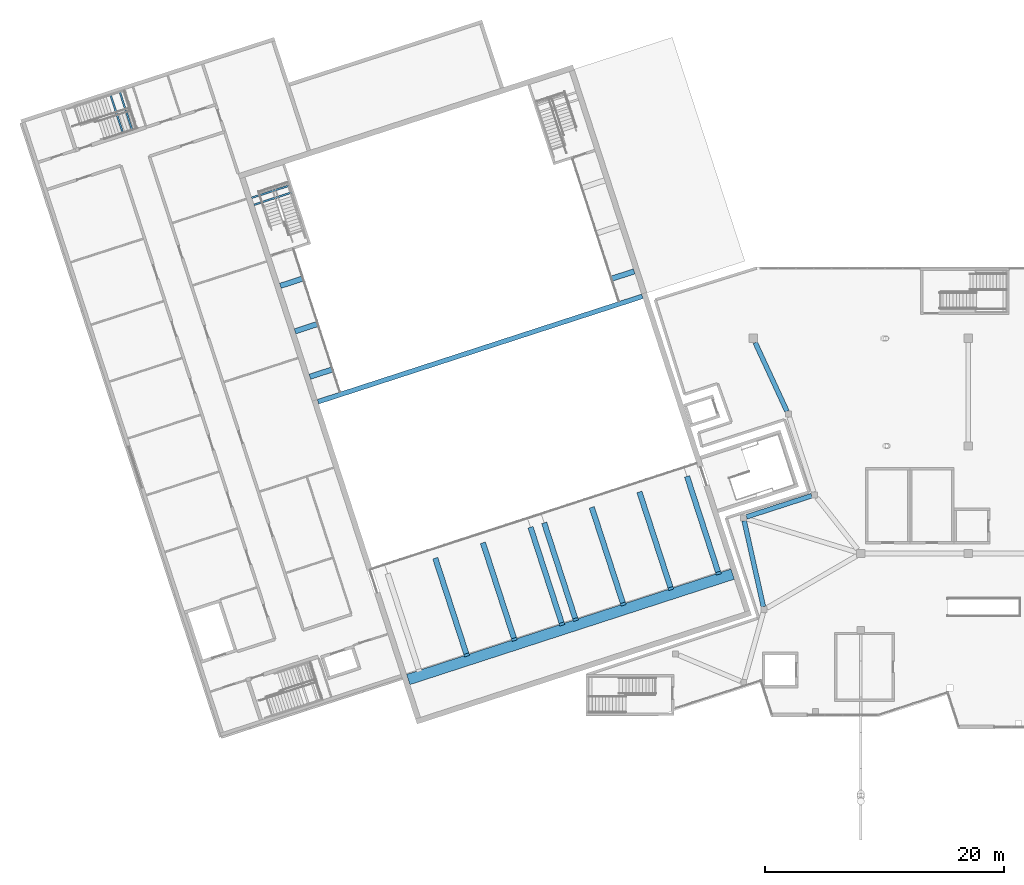
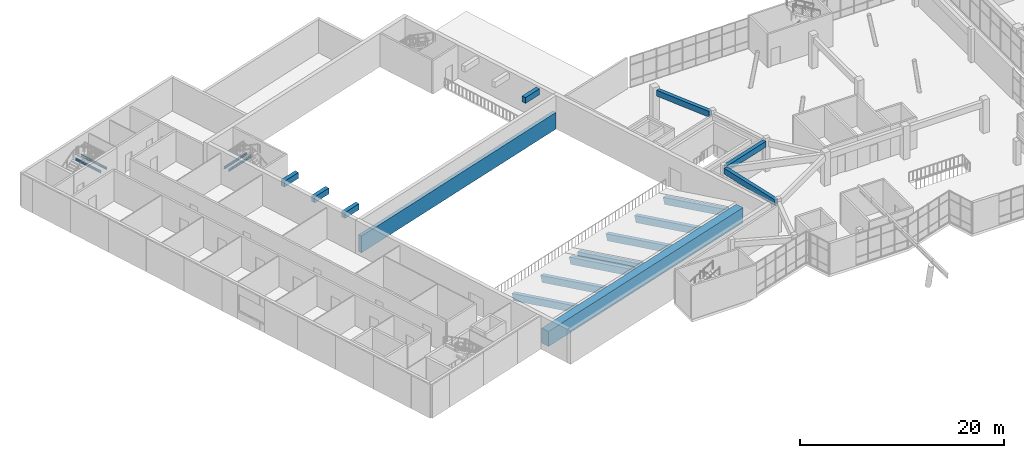
# One storey, part 3 of 65: 20 beams.
"""IFC4 building model written with IfcOpenShell, lengths in metres."""

from ifc_helpers import new_model, si_unit, direction, frame, origin, origin_2d, place, context, subcontext, project, spatial, rectangle, i_section, extrude, material, material_profile, profile_set, type_object, element, save


model = new_model("IFC4")

# Units and contexts
model_context = context("Model", 3, precision=1e-05, world=origin(), true_north=direction((0.0, 1.0)))
body_context = subcontext(model_context, "Body", "Model", "MODEL_VIEW")
ifc_project = project(units=[si_unit("LENGTHUNIT", "METRE"), si_unit("AREAUNIT", "SQUARE_METRE"), si_unit("VOLUMEUNIT", "CUBIC_METRE"), si_unit("PLANEANGLEUNIT", "RADIAN"), si_unit("MASSUNIT", "GRAM", prefix="KILO")], contexts=[model_context])

# Site, building, storey
site_placement = place(None, origin())
site = spatial("IfcSite", under=ifc_project, at=site_placement, CompositionType="ELEMENT")
building_placement = place(site_placement, origin())
building = spatial("IfcBuilding", under=site, at=building_placement, Name="Tuart Plaza Theatre", CompositionType="ELEMENT")
storey_placement = place(building_placement, frame((0.0, 0.0, 9.5)))
storey = spatial("IfcBuildingStorey", under=building, at=storey_placement, Name="L02", CompositionType="ELEMENT", Elevation=9.5)

# Beams
ifc_material_1 = material(Name="Steel Grade 300", Category="steel")
ifc_material_profile_1 = material_profile(ifc_material_1, i_section(OverallWidth=0.14599609375, OverallDepth=0.256103515625, WebThickness=0.00634765625, FlangeThickness=0.010986328125, FilletRadius=0.0087890625, at=origin_2d()), Name="250UB37.3")
ifc_profile_set_1 = profile_set([ifc_material_profile_1], Name="Steel Grade 300")
beam_type_1 = type_object("IfcBeamType", Name="BEAM 250UB37.3", PredefinedType="BEAM", material=ifc_profile_set_1)
for number, where, z_axis, x_axis, name in (
    (1, (25.230224609375, 91.203857421875, 1.672119140625), (-0.308980533303, 0.951068362443, 0.0), (-0.951068362443, -0.308980533303, 0.0), "SB21"),
    (2, (26.00537109375, 91.455810546875, 1.672119140625), (-0.308980533303, 0.951068362443, 0.0), (-0.951068362443, -0.308980533303, 0.0), "SB22"),
):
    element("IfcBeam", number, at=place(storey_placement, frame(where, z_axis=z_axis, x_axis=x_axis)), inside=storey, type_object=beam_type_1, Name=name, PredefinedType="BEAM", context=body_context, shape_type="SweptSolid", body=[
        extrude(i_section(OverallWidth=0.14599609375, OverallDepth=0.256103515625, WebThickness=0.00634765625, FlangeThickness=0.010986328125, FilletRadius=0.0087890625, at=origin_2d()), origin(), (0.0, 0.0, 1.0), 3.39990234375),
    ])
beam_1_placement = place(storey_placement, frame((39.3662109375, 86.215576171875, 1.672119140625), z_axis=(-0.951049715063, -0.309037925631, 0.0), x_axis=(0.309037925631, -0.951049715063, 0.0)))
element("IfcBeam", 3, at=beam_1_placement, inside=storey, type_object=beam_type_1, Name="SB33", PredefinedType="BEAM", context=body_context, shape_type="SweptSolid", body=[
    extrude(i_section(OverallWidth=0.14599609375, OverallDepth=0.256103515625, WebThickness=0.00634765625, FlangeThickness=0.010986328125, FilletRadius=0.0087890625, at=origin_2d()), origin(), (0.0, 0.0, 1.0), 3.3251953125),
])
beam_2_placement = place(storey_placement, frame((39.176025390625, 86.800537109375, 1.672119140625), z_axis=(-0.951042702094, -0.30905950688, 0.0), x_axis=(0.30905950688, -0.951042702094, 0.0)))
element("IfcBeam", 4, at=beam_2_placement, inside=storey, type_object=beam_type_1, Name="SB34", PredefinedType="BEAM", context=body_context, shape_type="SweptSolid", body=[
    extrude(i_section(OverallWidth=0.14599609375, OverallDepth=0.256103515625, WebThickness=0.00634765625, FlangeThickness=0.010986328125, FilletRadius=0.0087890625, at=origin_2d()), origin(), (0.0, 0.0, 1.0), 3.324951171875),
])
ifc_material_2 = material(Name="Concrete N50 (50 MPa)", Category="concrete")
ifc_material_profile_2 = material_profile(ifc_material_2, rectangle(XDim=0.39990234375, YDim=2.0, at=origin_2d()), Name="BEAM 400x2000 Concrete N50 (50 MPa)")
ifc_profile_set_2 = profile_set([ifc_material_profile_2], Name="Concrete N50 (50 MPa)")
beam_type_2 = type_object("IfcBeamType", Name="BEAM 400x2000 Concrete N50 (50 MPa)", PredefinedType="BEAM", material=ifc_profile_set_2)
beam_3_placement = place(storey_placement, frame((41.5615234375, 68.69921875, 1.0), z_axis=(0.951058008754, 0.309012401021, 0.0), x_axis=(-0.309012401021, 0.951058008754, 0.0)))
element("IfcBeam", 5, at=beam_3_placement, inside=storey, type_object=beam_type_2, Name="RB34", PredefinedType="BEAM", context=body_context, shape_type="SweptSolid", body=[
    extrude(rectangle(XDim=0.39990234375, YDim=2.0, at=origin_2d()), origin(), (0.0, 0.0, 1.0), 28.5498046875),
])
ifc_material_3 = material(Name="Concrete N40 (40 MPa)", Category="concrete")
ifc_material_profile_3 = material_profile(ifc_material_3, rectangle(XDim=0.39990234375, YDim=0.699951171875, at=origin_2d()), Name="BEAM 400x700 Concrete N40 (40 MPa)")
ifc_profile_set_3 = profile_set([ifc_material_profile_3], Name="Concrete N40 (40 MPa)")
beam_type_3 = type_object("IfcBeamType", Name="BEAM 400x700 Concrete N40 (40 MPa)", PredefinedType="BEAM", material=ifc_profile_set_3)
beam_4_placement = place(storey_placement, frame((78.161865234375, 73.64990234375, 3.35009765625), z_axis=(0.419496397919, -0.907757000597, 0.0), x_axis=(0.907757000597, 0.419496397919, 0.0)))
element("IfcBeam", 6, at=beam_4_placement, inside=storey, type_object=beam_type_3, Name="RB472", PredefinedType="BEAM", context=body_context, shape_type="SweptSolid", body=[
    extrude(rectangle(XDim=0.39990234375, YDim=0.699951171875, at=origin_2d()), origin(), (0.0, 0.0, 1.0), 6.3232421875),
])
beam_5_placement = place(storey_placement, frame((78.843994140625, 51.550048828125, 3.35009765625), z_axis=(-0.218187204822, 0.975906933909, 0.0), x_axis=(-0.975906933909, -0.218187204822, 0.0)))
element("IfcBeam", 7, at=beam_5_placement, inside=storey, type_object=beam_type_3, Name="RB482", PredefinedType="BEAM", context=body_context, shape_type="SweptSolid", body=[
    extrude(rectangle(XDim=0.39990234375, YDim=0.699951171875, at=origin_2d()), origin(), (0.0, 0.0, 1.0), 7.36279296875),
])
beam_6_placement = place(storey_placement, frame((77.431640625, 59.06640625, 3.35009765625), z_axis=(0.951443049522, 0.307824826024, 0.0), x_axis=(-0.307824826024, 0.951443049522, 0.0)))
element("IfcBeam", 8, at=beam_6_placement, inside=storey, type_object=beam_type_3, Name="RB483", PredefinedType="BEAM", context=body_context, shape_type="SweptSolid", body=[
    extrude(rectangle(XDim=0.39990234375, YDim=0.699951171875, at=origin_2d()), origin(), (0.0, 0.0, 1.0), 5.726318359375),
])
ifc_material_4 = material(Name="Concrete N40 (40 MPa)", Category="concrete")
ifc_material_profile_4 = material_profile(ifc_material_4, rectangle(XDim=0.449951171875, YDim=0.699951171875, at=origin_2d()), Name="BEAM 450x700 Concrete N40 (40 MPa)")
ifc_profile_set_4 = profile_set([ifc_material_profile_4], Name="Concrete N40 (40 MPa)")
beam_type_4 = type_object("IfcBeamType", Name="BEAM 450x700 Concrete N40 (40 MPa)", PredefinedType="BEAM", material=ifc_profile_set_4)
for number, where, z_axis, x_axis, name in (
    (9, (40.881591796875, 70.79150390625, 3.449951171875), (0.951079016896, 0.308947736067, 0.0), (-0.308947736067, 0.951079016896, 0.0), "RB47"),
    (10, (39.6455078125, 74.595703125, 3.449951171875), (0.951079016896, 0.308947736067, 0.0), (-0.308947736067, 0.951079016896, 0.0), "RB48"),
    (11, (38.409423828125, 78.39990234375, 3.449951171875), (0.951079016896, 0.308947736067, 0.0), (-0.308947736067, 0.951079016896, 0.0), "RB49"),
    (12, (68.034423828125, 79.61376953125, 3.449951171875), (-0.951079016896, -0.308947736067, 0.0), (0.308947736067, -0.951079016896, 0.0), "RB50"),
):
    element("IfcBeam", number, at=place(storey_placement, frame(where, z_axis=z_axis, x_axis=x_axis)), inside=storey, type_object=beam_type_4, Name=name, PredefinedType="BEAM", context=body_context, shape_type="SweptSolid", body=[
        extrude(rectangle(XDim=0.449951171875, YDim=0.699951171875, at=origin_2d()), origin(), (0.0, 0.0, 1.0), 2.0751953125),
    ])
ifc_material_5 = material(Name="Concrete N40 (40 MPa)", Category="concrete")
ifc_material_profile_5 = material_profile(ifc_material_5, rectangle(XDim=0.449951171875, YDim=0.800048828125, at=origin_2d()), Name="BEAM 450x800 Concrete N40 SLOPED")
ifc_profile_set_5 = profile_set([ifc_material_profile_5], Name="Concrete N40 (40 MPa)")
beam_type_5 = type_object("IfcBeamType", Name="BEAM 450x800 Concrete N40 SLOPED", PredefinedType="BEAM", material=ifc_profile_set_5)
beam_7_placement = place(storey_placement, frame((54.0107421875, 47.509033203125, 1.72314453125), z_axis=(-0.296787782522, 0.913334883823, -0.278812485621), x_axis=(-0.951048164593, -0.309042697088, 0.0)))
element("IfcBeam", 13, at=beam_7_placement, inside=storey, type_object=beam_type_5, Name="RB27", PredefinedType="BEAM", context=body_context, shape_type="SweptSolid", body=[
    extrude(rectangle(XDim=0.449951171875, YDim=0.800048828125, at=origin_2d()), origin(), (0.0, 0.0, 1.0), 8.746826171875),
])
beam_8_placement = place(storey_placement, frame((57.9970703125, 48.80419921875, 1.72314453125), z_axis=(-0.296754763521, 0.913347077378, -0.278807687435), x_axis=(-0.951059482092, -0.309007866443, 0.0)))
element("IfcBeam", 14, at=beam_8_placement, inside=storey, type_object=beam_type_5, Name="RB28", PredefinedType="BEAM", context=body_context, shape_type="SweptSolid", body=[
    extrude(rectangle(XDim=0.449951171875, YDim=0.800048828125, at=origin_2d()), origin(), (0.0, 0.0, 1.0), 8.7470703125),
])
for number, where, z_axis, x_axis, name in (
    (15, (61.983642578125, 50.099609375, 1.72314453125), (-0.296762328822, 0.91334244956, -0.278814795204), (-0.951056706781, -0.30901640812, 0.0), "RB29"),
    (16, (63.125, 50.470458984375, 1.72314453125), (-0.296787782522, 0.913334883823, -0.278812485621), (-0.951048164593, -0.309042697088, 0.0), "RB30"),
):
    element("IfcBeam", number, at=place(storey_placement, frame(where, z_axis=z_axis, x_axis=x_axis)), inside=storey, type_object=beam_type_5, Name=name, PredefinedType="BEAM", context=body_context, shape_type="SweptSolid", body=[
        extrude(rectangle(XDim=0.449951171875, YDim=0.800048828125, at=origin_2d()), origin(), (0.0, 0.0, 1.0), 8.746826171875),
    ])
beam_9_placement = place(storey_placement, frame((67.111328125, 51.765625, 1.72314453125), z_axis=(-0.296754763521, 0.913347077378, -0.278807687435), x_axis=(-0.951059482092, -0.309007866443, 0.0)))
element("IfcBeam", 17, at=beam_9_placement, inside=storey, type_object=beam_type_5, Name="RB31", PredefinedType="BEAM", context=body_context, shape_type="SweptSolid", body=[
    extrude(rectangle(XDim=0.449951171875, YDim=0.800048828125, at=origin_2d()), origin(), (0.0, 0.0, 1.0), 8.7470703125),
])
beam_10_placement = place(storey_placement, frame((71.097900390625, 53.06103515625, 1.72314453125), z_axis=(-0.296762328822, 0.91334244956, -0.278814795204), x_axis=(-0.951056706781, -0.30901640812, 0.0)))
element("IfcBeam", 18, at=beam_10_placement, inside=storey, type_object=beam_type_5, Name="RB32", PredefinedType="BEAM", context=body_context, shape_type="SweptSolid", body=[
    extrude(rectangle(XDim=0.449951171875, YDim=0.800048828125, at=origin_2d()), origin(), (0.0, 0.0, 1.0), 8.746826171875),
])
beam_11_placement = place(storey_placement, frame((75.08447265625, 54.356201171875, 1.72314453125), z_axis=(-0.296754763521, 0.913347077378, -0.278807687435), x_axis=(-0.951059482092, -0.309007866443, 0.0)))
element("IfcBeam", 19, at=beam_11_placement, inside=storey, type_object=beam_type_5, Name="RB33", PredefinedType="BEAM", context=body_context, shape_type="SweptSolid", body=[
    extrude(rectangle(XDim=0.449951171875, YDim=0.800048828125, at=origin_2d()), origin(), (0.0, 0.0, 1.0), 8.7470703125),
])
ifc_material_6 = material(Name="Concrete N50 (50 MPa)", Category="concrete")
ifc_material_profile_6 = material_profile(ifc_material_6, rectangle(XDim=0.89990234375, YDim=1.800048828125, at=origin_2d()), Name="BEAM 900x1800 Concrete N50 (50 MPa)")
ifc_profile_set_6 = profile_set([ifc_material_profile_6], Name="Concrete N50 (50 MPa)")
beam_type_6 = type_object("IfcBeamType", Name="BEAM 900x1800 Concrete N50 (50 MPa)", PredefinedType="BEAM", material=ifc_profile_set_6)
beam_12_placement = place(storey_placement, frame((49.116943359375, 45.44580078125, 1.25), z_axis=(0.951055495577, 0.309020135804, 0.0), x_axis=(-0.309020135804, 0.951055495577, 0.0)))
element("IfcBeam", 20, at=beam_12_placement, inside=storey, type_object=beam_type_6, Name="RB24", PredefinedType="BEAM", context=body_context, shape_type="SweptSolid", body=[
    extrude(rectangle(XDim=0.89990234375, YDim=1.800048828125, at=origin_2d()), origin(), (0.0, 0.0, 1.0), 28.550048828125),
])

save(model, "model.ifc")
